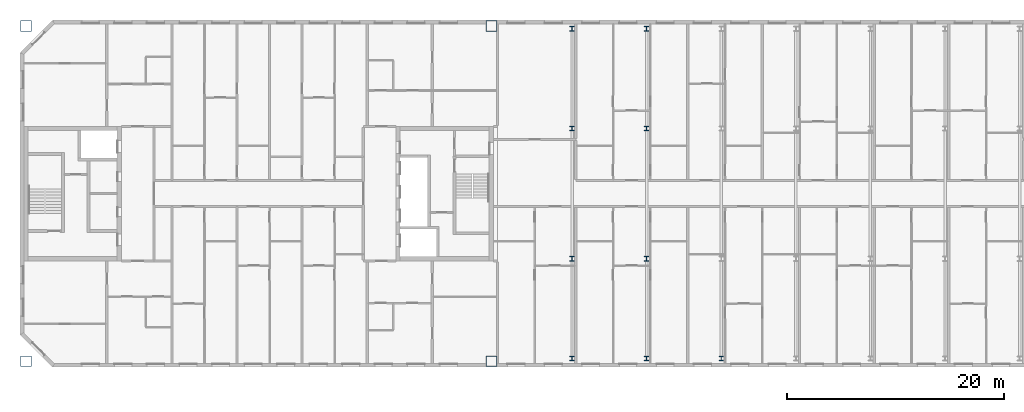
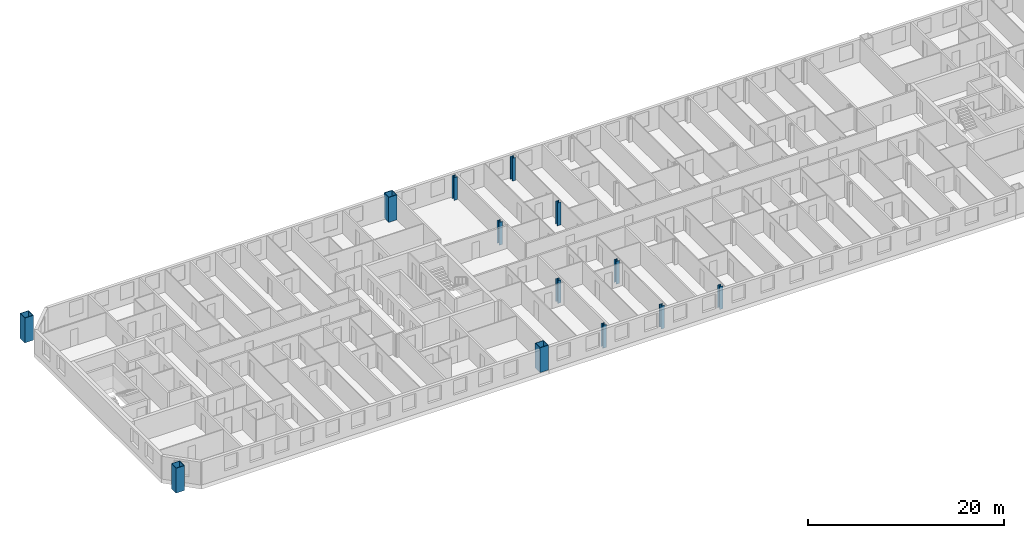
# One storey, part 1 of 19: 13 columns.
"""IFC4 building model written with IfcOpenShell, lengths in metres."""

from ifc_helpers import new_model, si_unit, direction, frame, origin, origin_2d, place, context, subcontext, project, spatial, hollow_rectangle, i_section, extrude, material, material_profile, profile_set, type_object, element, save


model = new_model("IFC4")

# Units and contexts
model_context = context("Model", 3, precision=1e-05, world=origin(), true_north=direction((0.0, 1.0)))
body_context = subcontext(model_context, "Body", "Model", "MODEL_VIEW")
ifc_project = project(units=[si_unit("LENGTHUNIT", "METRE"), si_unit("AREAUNIT", "SQUARE_METRE"), si_unit("VOLUMEUNIT", "CUBIC_METRE"), si_unit("PLANEANGLEUNIT", "RADIAN"), si_unit("MASSUNIT", "GRAM", prefix="KILO")], contexts=[model_context])

# Site, building, storey
site_placement = place(None, origin())
site = spatial("IfcSite", under=ifc_project, at=site_placement, CompositionType="ELEMENT")
building_placement = place(site_placement, origin())
building = spatial("IfcBuilding", under=site, at=building_placement, Name="Tuart Gate Housing", CompositionType="ELEMENT")
storey_placement = place(building_placement, frame((0.0, 0.0, 202.800048828125)))
storey = spatial("IfcBuildingStorey", under=building, at=storey_placement, Name="L57", CompositionType="ELEMENT", Elevation=202.800048828125)

# Columns
ifc_material_1 = material(Name="Steel Grade 350", Category="steel")
ifc_material_profile_1 = material_profile(ifc_material_1, i_section(OverallWidth=0.39990234375, OverallDepth=0.429931640625, WebThickness=0.0400390625, FlangeThickness=0.0400390625, at=origin_2d()), Name="400WC361")
ifc_profile_set_1 = profile_set([ifc_material_profile_1], Name="Steel Grade 350")
column_type_1 = type_object("IfcColumnType", Name="Link column 400 WC361", PredefinedType="COLUMN", material=ifc_profile_set_1)
for number, where, z_axis, x_axis, name in (
    (1, (82.875, 54.800048828125, 0.0), (0.0, 0.0, 1.0), (1.0, 0.0, 0.0), "Link column line 1 point 1 L57"),
    (2, (89.75, 54.800048828125, 0.0), (0.0, 0.0, 1.0), (1.0, 0.0, 0.0), "Link column line 1 point 2 L57"),
    (3, (96.625, 54.800048828125, 0.0), (0.0, 0.0, 1.0), (1.0, 0.0, 0.0), "Link column line 1 point 3 L57"),
    (4, (82.875, 64.0, 0.0), (0.0, 0.0, 1.0), (1.0, 0.0, 0.0), "Link column line 2 point 1 L57"),
    (5, (89.75, 64.0, 0.0), (0.0, 0.0, 1.0), (1.0, 0.0, 0.0), "Link column line 2 point 2 L57"),
    (6, (82.875, 76.0, 0.0), (0.0, 0.0, 1.0), (1.0, 0.0, 0.0), "Link column line 3 point 1 L57"),
    (7, (89.75, 76.0, 0.0), (0.0, 0.0, 1.0), (1.0, 0.0, 0.0), "Link column line 3 point 2 L57"),
    (8, (82.875, 85.199951171875, 0.0), (0.0, 0.0, 1.0), (1.0, 0.0, 0.0), "Link column line 4 point 1 L57"),
    (9, (89.75, 85.199951171875, 0.0), (0.0, 0.0, 1.0), (1.0, 0.0, 0.0), "Link column line 4 point 2 L57"),
):
    element("IfcColumn", number, at=place(storey_placement, frame(where, z_axis=z_axis, x_axis=x_axis)), inside=storey, type_object=column_type_1, Name=name, PredefinedType="COLUMN", context=body_context, shape_type="SweptSolid", body=[
        extrude(i_section(OverallWidth=0.39990234375, OverallDepth=0.429931640625, WebThickness=0.0400390625, FlangeThickness=0.0400390625, at=origin_2d()), origin(), (0.0, 0.0, 1.0), 2.849853515625),
    ])
ifc_material_2 = material(Name="Steel Grade 350", Category="steel")
ifc_material_profile_2 = material_profile(ifc_material_2, hollow_rectangle(XDim=1.0, YDim=1.0, WallThickness=0.054931640625, at=origin_2d()), Name="BOX 1000x1000x55")
ifc_profile_set_2 = profile_set([ifc_material_profile_2], Name="Steel Grade 350")
column_type_2 = type_object("IfcColumnType", Name="Mega column BOX 1000x1000x55", PredefinedType="COLUMN", material=ifc_profile_set_2)
for number, where, z_axis, x_axis, name in (
    (10, (32.550048828125, 54.550048828125, 0.0), (0.0, 0.0, 1.0), (1.0, 0.0, 0.0), "Mega column A south-west L57"),
    (11, (75.449951171875, 54.550048828125, 0.0), (0.0, 0.0, 1.0), (1.0, 0.0, 0.0), "Mega column A south-east L57"),
    (12, (75.449951171875, 85.449951171875, 0.0), (0.0, 0.0, 1.0), (1.0, 0.0, 0.0), "Mega column A north-east L57"),
    (13, (32.550048828125, 85.449951171875, 0.0), (0.0, 0.0, 1.0), (1.0, 0.0, 0.0), "Mega column A north-west L57"),
):
    element("IfcColumn", number, at=place(storey_placement, frame(where, z_axis=z_axis, x_axis=x_axis)), inside=storey, type_object=column_type_2, Name=name, PredefinedType="COLUMN", context=body_context, shape_type="SweptSolid", body=[
        extrude(hollow_rectangle(XDim=1.0, YDim=1.0, WallThickness=0.054931640625, at=origin_2d()), origin(), (0.0, 0.0, 1.0), 3.099853515625),
    ])

save(model, "model.ifc")
